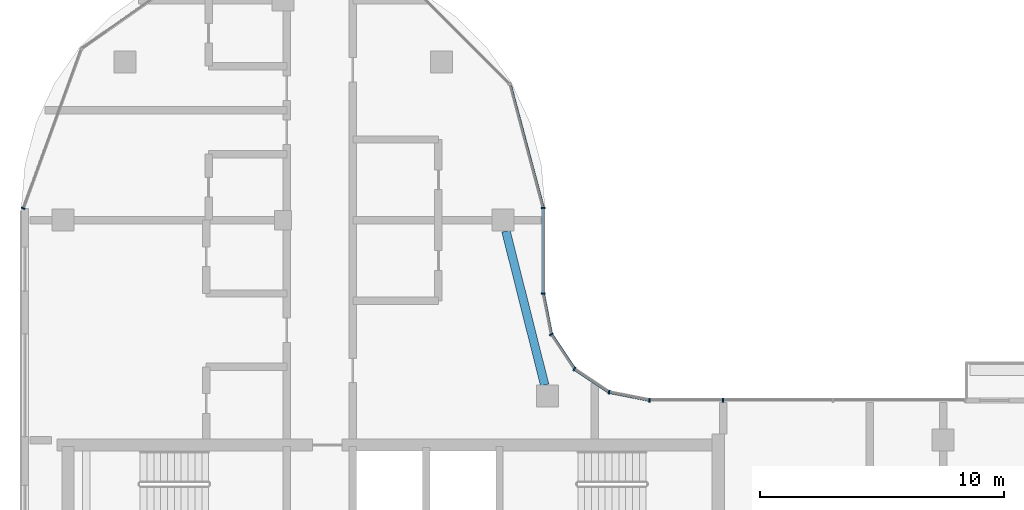
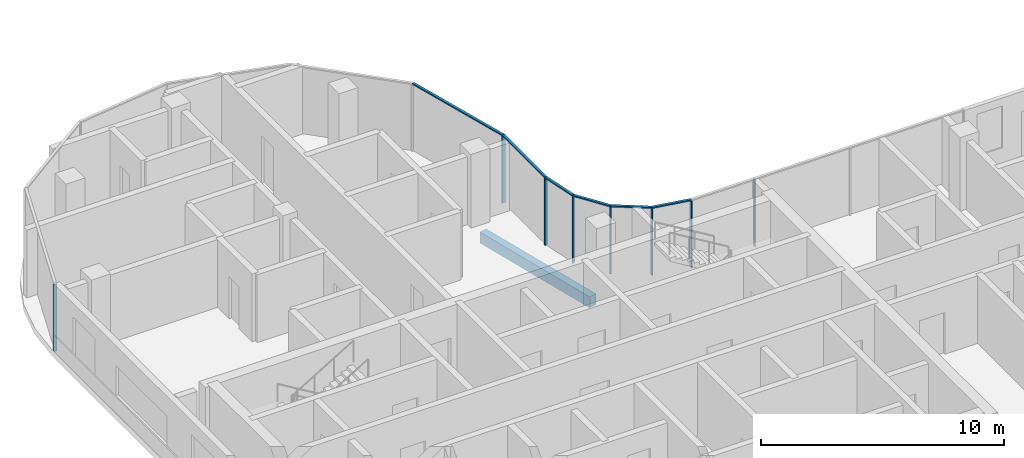
# One storey, part 2 of 19: 14 members, 1 beam, 4 elements without a shape of their own.
"""IFC4 building model written with IfcOpenShell, lengths in metres."""

import ifcopenshell
import ifcopenshell.guid

model = None  # the IFC model being written
_history = None  # IfcOwnerHistory: only IFC2X3 demands one
_inside = {}  # id of a spatial element -> (the spatial element, [elements in it])
_under = {}  # id of a project, library or spatial element -> (it, [spatial elements below it])
_declared = {}  # id of a project -> (the project, [libraries it declares])
_typed = {}  # id of a type object -> (the type object, [elements of that type])
_made_of = {}  # id of a material, layer set ... -> (it, [elements and type objects made of it])


def new_model(schema):
    """Start an empty IFC model of exactly this schema.

    Asked for "IFC4X3", IfcOpenShell would pick the latest addendum, in which some entities
    have other attributes; the version numbers below select the first issue.
    IFC2X3 requires an IfcOwnerHistory on every rooted entity: one is made here for all.
    """
    global model, _history
    if schema == "IFC4X3":
        model = ifcopenshell.file(schema_version=(4, 3, 0, 0))
    else:
        model = ifcopenshell.file(schema=schema)
    _inside.clear()
    _under.clear()
    _declared.clear()
    _typed.clear()
    _made_of.clear()
    _history = None
    if model.schema == "IFC2X3":
        org = make("IfcOrganization", Name="unknown")
        user = make(
            "IfcPersonAndOrganization",
            ThePerson=make("IfcPerson", FamilyName="unknown"),
            TheOrganization=org,
        )
        app = make(
            "IfcApplication",
            ApplicationDeveloper=org,
            Version="unknown",
            ApplicationFullName="unknown",
            ApplicationIdentifier="unknown",
        )
        _history = make(
            "IfcOwnerHistory",
            OwningUser=user,
            OwningApplication=app,
            ChangeAction="ADDED",
            CreationDate=0,
        )
    return model


def make(cls, **values):
    """One entity of the class cls with the attributes given. An attribute that is None is left unset."""
    return model.create_entity(
        cls, **{name: value for name, value in values.items() if value is not None}
    )


def rooted(cls, **values):
    """An entity with a GlobalId (a new one), such as an element, a storey or a relation."""
    return make(cls, GlobalId=ifcopenshell.guid.new(), OwnerHistory=_history, **values)


def si_unit(unit_type, name, prefix=None):
    """IfcSIUnit, for example si_unit("LENGTHUNIT", "METRE", prefix="MILLI")."""
    return make("IfcSIUnit", UnitType=unit_type, Prefix=prefix, Name=name)


def assignment(units):
    """IfcUnitAssignment: the units of a project."""
    return None if units is None else make("IfcUnitAssignment", Units=units)


def point(xyz):
    """IfcCartesianPoint."""
    return None if xyz is None else make("IfcCartesianPoint", Coordinates=xyz)


def direction(xyz):
    """IfcDirection."""
    return None if xyz is None else make("IfcDirection", DirectionRatios=xyz)


def frame(location, z_axis=None, x_axis=None):
    """IfcAxis2Placement3D, a coordinate frame: its origin and axes. An axis left out is left unset."""
    return make(
        "IfcAxis2Placement3D",
        Location=point(location),
        Axis=direction(z_axis),
        RefDirection=direction(x_axis),
    )


def frame_2d(location, x_axis=None):
    """IfcAxis2Placement2D, a coordinate frame in the plane: its origin and x axis."""
    return make(
        "IfcAxis2Placement2D", Location=point(location), RefDirection=direction(x_axis)
    )


def origin():
    """The frame at (0, 0, 0) with its axes left unset."""
    return frame((0.0, 0.0, 0.0))


def origin_2d():
    """The frame at (0, 0) in the plane with its x axis left unset."""
    return frame_2d((0.0, 0.0))


def place(relative_to, where):
    """IfcLocalPlacement: puts the frame where relative to a parent placement (None: the world)."""
    return make(
        "IfcLocalPlacement", PlacementRelTo=relative_to, RelativePlacement=where
    )


def context(
    kind, dimensions, precision=None, world=None, true_north=None, identifier=None
):
    """IfcGeometricRepresentationContext, for example the 3D "Model" context."""
    return make(
        "IfcGeometricRepresentationContext",
        ContextIdentifier=identifier,
        ContextType=kind,
        CoordinateSpaceDimension=dimensions,
        Precision=precision,
        WorldCoordinateSystem=world,
        TrueNorth=true_north,
    )


def subcontext(parent, identifier, kind, view, scale=None):
    """IfcGeometricRepresentationSubContext, for example "Body" below "Model"."""
    return make(
        "IfcGeometricRepresentationSubContext",
        ContextIdentifier=identifier,
        ContextType=kind,
        ParentContext=parent,
        TargetScale=scale,
        TargetView=view,
    )


def project(units=None, contexts=None):
    """IfcProject with its units and contexts."""
    return rooted(
        "IfcProject",
        Name="project",
        RepresentationContexts=contexts,
        UnitsInContext=assignment(units),
    )


def spatial(cls, under=None, at=None, **own):
    """A site, building, storey or space (cls), placed at a placement, below another one or the project."""
    s = rooted(cls, ObjectPlacement=at, **own)
    if under is not None:
        _under.setdefault(under.id(), (under, []))[1].append(s)
    return s


def profile(cls, at=None, kind="AREA", **sizes):
    """A parametric profile (cls). Its sizes go by their IFC names, for example OverallWidth=200.0."""
    return make(cls, ProfileType=kind, Position=at, **sizes)


def rectangle(**sizes):
    """IfcRectangleProfileDef."""
    return profile("IfcRectangleProfileDef", **sizes)


def extrude(swept, where, along, depth):
    """IfcExtrudedAreaSolid: the profile swept, set in the frame where, extruded along a direction by depth."""
    return make(
        "IfcExtrudedAreaSolid",
        SweptArea=swept,
        Position=where,
        ExtrudedDirection=direction(along),
        Depth=depth,
    )


def shape(context_of_items, identifier, shape_type, items):
    """IfcShapeRepresentation: the items that make up one representation, for example the "Body"."""
    return make(
        "IfcShapeRepresentation",
        ContextOfItems=context_of_items,
        RepresentationIdentifier=identifier,
        RepresentationType=shape_type,
        Items=items,
    )


def material(Name=None, Category=None):
    """IfcMaterial."""
    return make("IfcMaterial", Name=Name, Category=Category)


def material_profile(
    of_material, cross_section, Name=None, Category=None, Priority=None
):
    """IfcMaterialProfile: a cross section and its material."""
    return make(
        "IfcMaterialProfile",
        Name=Name,
        Material=of_material,
        Profile=cross_section,
        Priority=Priority,
        Category=Category,
    )


def profile_set(profiles, Name=None, composite=None):
    """IfcMaterialProfileSet."""
    return make(
        "IfcMaterialProfileSet",
        Name=Name,
        MaterialProfiles=profiles,
        CompositeProfile=composite,
    )


def made_of(thing, what):
    """Note that an element or type object is made of a material, layer set ...; save() writes the relation."""
    if what is not None:
        _made_of.setdefault(what.id(), (what, []))[1].append(thing)
    return thing


def type_object(cls, material=None, **own):
    """A type object (cls), such as IfcWallType, which elements share."""
    return made_of(rooted(cls, **own), material)


def element(
    cls,
    number,
    at=None,
    inside=None,
    cuts=None,
    type_object=None,
    material=None,
    context=None,
    identifier="Body",
    shape_type=None,
    held_by="IfcProductDefinitionShape",
    body=None,
    shapes=None,
    **own,
):
    """One element of the class cls, such as IfcWall. Its Tag is "e" and its number.

    at: its placement. inside: the storey or other place that contains it. cuts: it is an
    opening in that element (IfcRelVoidsElement). A single representation is given by context,
    identifier, shape_type and body (its items); several are given by shapes. held_by: the class
    of the entity that holds the representations. save() writes the other relations.
    """
    e = rooted(cls, Tag="e%d" % number, ObjectPlacement=at, **own)
    if body is not None:
        shapes = [shape(context, identifier, shape_type, body)]
    if shapes is not None:
        e.Representation = make(held_by, Representations=shapes)
    if inside is not None:
        _inside.setdefault(inside.id(), (inside, []))[1].append(e)
    if cuts is not None:
        rooted(
            "IfcRelVoidsElement", RelatingBuildingElement=cuts, RelatedOpeningElement=e
        )
    if type_object is not None:
        _typed.setdefault(type_object.id(), (type_object, []))[1].append(e)
    return made_of(e, material)


def aggregate(whole, parts):
    """IfcRelAggregates: a whole, such as a stair, and the parts it consists of."""
    return rooted("IfcRelAggregates", RelatingObject=whole, RelatedObjects=parts)


def save(model, path):
    """Write the relations noted so far, then the file.

    IfcRelAggregates (storeys below a building ...), IfcRelContainedInSpatialStructure (elements
    in a storey), IfcRelDefinesByType, IfcRelAssociatesMaterial and IfcRelDeclares: one each for
    every whole, place, type object, material and project.
    """
    for whole, parts in _under.values():
        aggregate(whole, parts)
    for where, things in _inside.values():
        rooted(
            "IfcRelContainedInSpatialStructure",
            RelatedElements=things,
            RelatingStructure=where,
        )
    for kind, things in _typed.values():
        rooted("IfcRelDefinesByType", RelatedObjects=things, RelatingType=kind)
    for what, things in _made_of.values():
        rooted("IfcRelAssociatesMaterial", RelatedObjects=things, RelatingMaterial=what)
    for by, libraries in _declared.values():
        rooted("IfcRelDeclares", RelatingContext=by, RelatedDefinitions=libraries)
    model.write(path)


model = new_model("IFC4")

# Units and contexts
model_context = context("Model", 3, precision=1e-05, world=origin(), true_north=direction((0.0, 1.0)))
body_context = subcontext(model_context, "Body", "Model", "MODEL_VIEW")
ifc_project = project(units=[si_unit("LENGTHUNIT", "METRE"), si_unit("AREAUNIT", "SQUARE_METRE"), si_unit("VOLUMEUNIT", "CUBIC_METRE"), si_unit("PLANEANGLEUNIT", "RADIAN"), si_unit("MASSUNIT", "GRAM", prefix="KILO")], contexts=[model_context])

# Site, building, storey
site_placement = place(None, origin())
site = spatial("IfcSite", under=ifc_project, at=site_placement, CompositionType="ELEMENT")
building_placement = place(site_placement, origin())
building = spatial("IfcBuilding", under=site, at=building_placement, Name="Ogive Portal Towers", CompositionType="ELEMENT")
storey_placement = place(building_placement, frame((0.0, 0.0, 199.5)))
storey = spatial("IfcBuildingStorey", under=building, at=storey_placement, Name="L49", CompositionType="ELEMENT", Elevation=199.5)

# Curtain wall, members
ifc_material_1 = material(Name="Glass, clear low-iron insulated glazing", Category="glass")
curtain_wall_type = type_object("IfcCurtainWallType", Name="CW FRONT RIBBON 4500", PredefinedType="NOTDEFINED", material=ifc_material_1)
curtain_wall_1_placement = place(storey_placement, origin())
curtain_wall_1 = element("IfcCurtainWall", 1, at=curtain_wall_1_placement, inside=storey, type_object=curtain_wall_type, Name="A:L49:f13:cw1", PredefinedType="NOTDEFINED")
ifc_material_2 = material(Name="Aluminium 6063 anodised", Category="aluminium")
ifc_material_profile_1 = material_profile(ifc_material_2, rectangle(XDim=0.159912109375, YDim=0.06005859375, at=origin_2d()), Name="AL 60x160")
ifc_profile_set_1 = profile_set([ifc_material_profile_1], Name="Aluminium 6063 anodised")
member_type_1 = type_object("IfcMemberType", Name="CW MULLION 60x160", PredefinedType="MULLION", material=ifc_profile_set_1)
member_1_placement = place(storey_placement, frame((58.5, 41.135009765625, 0.0), z_axis=(0.0, 0.0, 1.0), x_axis=(0.0, -1.0, 0.0)))
member_1 = element("IfcMember", 2, at=member_1_placement, type_object=member_type_1, Name="mullion", PredefinedType="MULLION", context=body_context, shape_type="SweptSolid", body=[
    extrude(rectangle(XDim=0.159912109375, YDim=0.06005859375, at=origin_2d()), origin(), (0.0, 0.0, 1.0), 3.340087890625),
])
member_2_placement = place(storey_placement, frame((55.4921875, 41.135009765625, 0.0), z_axis=(0.0, 0.0, 1.0), x_axis=(0.0, -1.0, 0.0)))
member_2 = element("IfcMember", 3, at=member_2_placement, type_object=member_type_1, Name="mullion", PredefinedType="MULLION", context=body_context, shape_type="SweptSolid", body=[
    extrude(rectangle(XDim=0.159912109375, YDim=0.06005859375, at=origin_2d()), origin(), (0.0, 0.0, 1.0), 3.340087890625),
])
aggregate(curtain_wall_1, [member_1, member_2])

curtain_wall_2_placement = place(storey_placement, origin())
curtain_wall_2 = element("IfcCurtainWall", 4, at=curtain_wall_2_placement, inside=storey, type_object=curtain_wall_type, Name="A:L49:f18:cw0", PredefinedType="NOTDEFINED")
member_3_placement = place(storey_placement, frame((51.135009765625, 45.4921875, 0.0), z_axis=(0.0, 0.0, 1.0), x_axis=(-1.0, 0.0, 0.0)))
member_3 = element("IfcMember", 5, at=member_3_placement, type_object=member_type_1, Name="mullion", PredefinedType="MULLION", context=body_context, shape_type="SweptSolid", body=[
    extrude(rectangle(XDim=0.159912109375, YDim=0.06005859375, at=origin_2d()), origin(), (0.0, 0.0, 1.0), 3.340087890625),
])
member_4_placement = place(storey_placement, frame((51.135009765625, 48.989501953125, 0.0), z_axis=(0.0, 0.0, 1.0), x_axis=(-1.0, 0.0, 0.0)))
member_4 = element("IfcMember", 6, at=member_4_placement, type_object=member_type_1, Name="mullion", PredefinedType="MULLION", context=body_context, shape_type="SweptSolid", body=[
    extrude(rectangle(XDim=0.159912109375, YDim=0.06005859375, at=origin_2d()), origin(), (0.0, 0.0, 1.0), 3.340087890625),
])

curtain_wall_3_placement = place(storey_placement, origin())
curtain_wall_3 = element("IfcCurtainWall", 7, at=curtain_wall_3_placement, inside=storey, type_object=curtain_wall_type, Name="A:L49:f14:cwa", PredefinedType="NOTDEFINED")
member_5_placement = place(storey_placement, frame((53.8291015625, 41.4658203125, 0.0), z_axis=(0.0, 0.0, 1.0), x_axis=(-0.195090322016, -0.980785280403, 0.0)))
member_5 = element("IfcMember", 8, at=member_5_placement, type_object=member_type_1, Name="mullion", PredefinedType="MULLION", context=body_context, shape_type="SweptSolid", body=[
    extrude(rectangle(XDim=0.159912109375, YDim=0.06005859375, at=origin_2d()), origin(), (0.0, 0.0, 1.0), 3.340087890625),
])
member_6_placement = place(storey_placement, frame((52.412353515625, 42.412353515625, 0.0), z_axis=(0.0, 0.0, 1.0), x_axis=(-0.55557023302, -0.831469612303, 0.0)))
member_6 = element("IfcMember", 9, at=member_6_placement, type_object=member_type_1, Name="mullion", PredefinedType="MULLION", context=body_context, shape_type="SweptSolid", body=[
    extrude(rectangle(XDim=0.159912109375, YDim=0.06005859375, at=origin_2d()), origin(), (0.0, 0.0, 1.0), 3.340087890625),
])
member_7_placement = place(storey_placement, frame((51.4658203125, 43.8291015625, 0.0), z_axis=(0.0, 0.0, 1.0), x_axis=(-0.831469612303, -0.55557023302, 0.0)))
member_7 = element("IfcMember", 10, at=member_7_placement, type_object=member_type_1, Name="mullion", PredefinedType="MULLION", context=body_context, shape_type="SweptSolid", body=[
    extrude(rectangle(XDim=0.159912109375, YDim=0.06005859375, at=origin_2d()), origin(), (0.0, 0.0, 1.0), 3.340087890625),
])

# Curtain wall, member
curtain_wall_4_placement = place(storey_placement, origin())
curtain_wall_4 = element("IfcCurtainWall", 11, at=curtain_wall_4_placement, inside=storey, type_object=curtain_wall_type, Name="A:L49:f19:cwa", PredefinedType="NOTDEFINED")
member_8_placement = place(storey_placement, frame((29.864990234375, 48.98583984375, 0.0), z_axis=(0.0, 0.0, 1.0), x_axis=(0.939692620786, -0.342020143326, 0.0)))
member_8 = element("IfcMember", 12, at=member_8_placement, type_object=member_type_1, Name="mullion", PredefinedType="MULLION", context=body_context, shape_type="SweptSolid", body=[
    extrude(rectangle(XDim=0.159912109375, YDim=0.06005859375, at=origin_2d()), origin(), (0.0, 0.0, 1.0), 3.340087890625),
])

# Member
ifc_material_profile_2 = material_profile(ifc_material_2, rectangle(XDim=0.1201171875, YDim=0.06005859375, at=origin_2d()), Name="AL 120x60")
ifc_profile_set_2 = profile_set([ifc_material_profile_2], Name="Aluminium 6063 anodised")
member_type_2 = type_object("IfcMemberType", Name="CW TRANSOM 60x120", PredefinedType="USERDEFINED", material=ifc_profile_set_2)
member_9_placement = place(storey_placement, frame((51.135009765625, 45.4921875, 3.3701171875), z_axis=(0.0, 1.0, 0.0), x_axis=(-1.0, 0.0, 0.0)))
member_9 = element("IfcMember", 13, at=member_9_placement, type_object=member_type_2, Name="transom", ObjectType="TRANSOM", PredefinedType="USERDEFINED", context=body_context, shape_type="SweptSolid", body=[
    extrude(rectangle(XDim=0.1201171875, YDim=0.06005859375, at=origin_2d()), origin(), (0.0, 0.0, 1.0), 3.497314453125),
])

aggregate(curtain_wall_2, [member_9, member_3, member_4])

member_10_placement = place(storey_placement, frame((55.4921875, 41.135009765625, 3.3701171875), z_axis=(-0.980785033743, 0.195091562056, 0.0), x_axis=(-0.195091562056, -0.980785033743, 0.0)))
member_10 = element("IfcMember", 14, at=member_10_placement, type_object=member_type_2, Name="transom", ObjectType="TRANSOM", PredefinedType="USERDEFINED", context=body_context, shape_type="SweptSolid", body=[
    extrude(rectangle(XDim=0.1201171875, YDim=0.06005859375, at=origin_2d()), origin(), (0.0, 0.0, 1.0), 1.695556640625),
])

member_11_placement = place(storey_placement, frame((53.8291015625, 41.4658203125, 3.3701171875), z_axis=(-0.831498776979, 0.555526582517, 0.0), x_axis=(-0.555526582517, -0.831498776979, 0.0)))
member_11 = element("IfcMember", 15, at=member_11_placement, type_object=member_type_2, Name="transom", ObjectType="TRANSOM", PredefinedType="USERDEFINED", context=body_context, shape_type="SweptSolid", body=[
    extrude(rectangle(XDim=0.1201171875, YDim=0.06005859375, at=origin_2d()), origin(), (0.0, 0.0, 1.0), 1.703857421875),
])

member_12_placement = place(storey_placement, frame((52.412353515625, 42.412353515625, 3.3701171875), z_axis=(-0.555526582517, 0.831498776979, 0.0), x_axis=(-0.831498776979, -0.555526582517, 0.0)))
member_12 = element("IfcMember", 16, at=member_12_placement, type_object=member_type_2, Name="transom", ObjectType="TRANSOM", PredefinedType="USERDEFINED", context=body_context, shape_type="SweptSolid", body=[
    extrude(rectangle(XDim=0.1201171875, YDim=0.06005859375, at=origin_2d()), origin(), (0.0, 0.0, 1.0), 1.703857421875),
])

member_13_placement = place(storey_placement, frame((51.4658203125, 43.8291015625, 3.3701171875), z_axis=(-0.195091562056, 0.980785033743, 0.0), x_axis=(-0.980785033743, -0.195091562056, 0.0)))
member_13 = element("IfcMember", 17, at=member_13_placement, type_object=member_type_2, Name="transom", ObjectType="TRANSOM", PredefinedType="USERDEFINED", context=body_context, shape_type="SweptSolid", body=[
    extrude(rectangle(XDim=0.1201171875, YDim=0.06005859375, at=origin_2d()), origin(), (0.0, 0.0, 1.0), 1.695556640625),
])

aggregate(curtain_wall_3, [member_10, member_11, member_12, member_13, member_5, member_6, member_7])

member_14_placement = place(storey_placement, frame((51.135009765625, 48.989501953125, 3.3701171875), z_axis=(-0.258830508272, 0.965922754669, 0.0), x_axis=(-0.965922754669, -0.258830508272, 0.0)))
member_14 = element("IfcMember", 18, at=member_14_placement, type_object=member_type_2, Name="transom", ObjectType="TRANSOM", PredefinedType="USERDEFINED", context=body_context, shape_type="SweptSolid", body=[
    extrude(rectangle(XDim=0.1201171875, YDim=0.06005859375, at=origin_2d()), origin(), (0.0, 0.0, 1.0), 5.255859375),
])

aggregate(curtain_wall_4, [member_14, member_8])

# Beam
ifc_material_3 = material(Name="Concrete C50/60", Category="concrete")
ifc_material_profile_3 = material_profile(ifc_material_3, rectangle(XDim=0.35009765625, YDim=0.550048828125, at=origin_2d()), Name="RC 350x550")
ifc_profile_set_3 = profile_set([ifc_material_profile_3], Name="Concrete C50/60")
beam_type = type_object("IfcBeamType", Name="SPANDREL BEAM RC 350x550", PredefinedType="BEAM", material=ifc_profile_set_3)
beam_placement = place(storey_placement, frame((49.61328125, 48.050048828125, -0.574951171875), z_axis=(0.244129438789, -0.969742655098, 0.0), x_axis=(0.969742655098, 0.244129438789, 0.0)))
element("IfcBeam", 19, at=beam_placement, inside=storey, type_object=beam_type, Name="Spandrel beam L49", PredefinedType="BEAM", context=body_context, shape_type="SweptSolid", body=[
    extrude(rectangle(XDim=0.35009765625, YDim=0.550048828125, at=origin_2d()), origin(), (0.0, 0.0, 1.0), 6.486328125),
])

save(model, "model.ifc")
